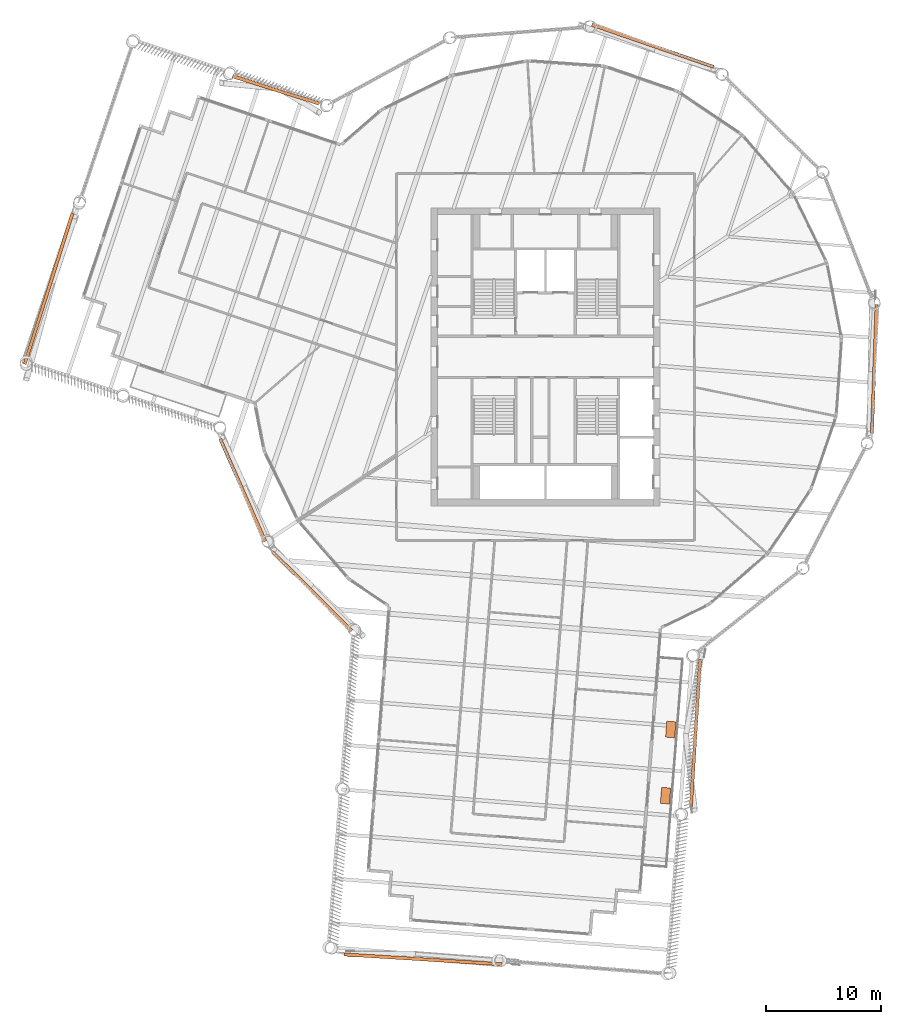
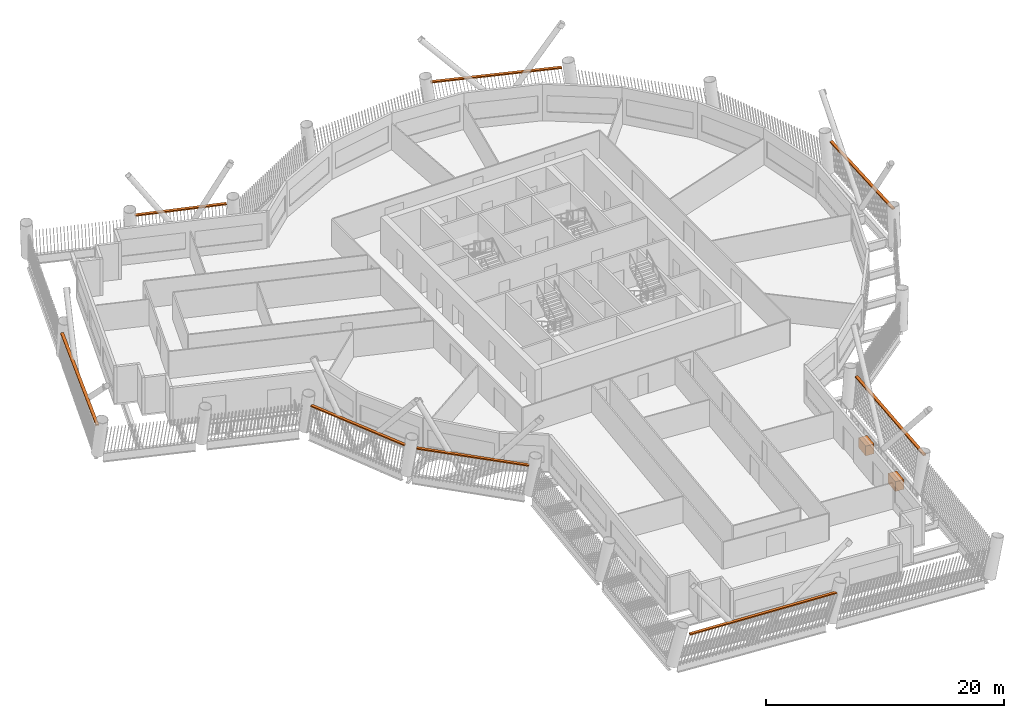
# One storey, part 21 of 21: 10 proxies.
"""IFC4 building model written with IfcOpenShell, lengths in metres."""

from ifc_helpers import new_model, si_unit, direction, frame, origin, origin_2d, place, context, subcontext, project, spatial, rectangle, extrude, material, type_object, element, save


model = new_model("IFC4")

# Units and contexts
model_context = context("Model", 3, precision=1e-05, world=origin(), true_north=direction((0.0, 1.0)))
body_context = subcontext(model_context, "Body", "Model", "MODEL_VIEW")
ifc_project = project(units=[si_unit("LENGTHUNIT", "METRE"), si_unit("AREAUNIT", "SQUARE_METRE"), si_unit("VOLUMEUNIT", "CUBIC_METRE"), si_unit("PLANEANGLEUNIT", "RADIAN"), si_unit("MASSUNIT", "GRAM", prefix="KILO")], contexts=[model_context])

# Site, building, storey
site_placement = place(None, origin())
site = spatial("IfcSite", under=ifc_project, at=site_placement, CompositionType="ELEMENT")
building_placement = place(site_placement, origin())
building = spatial("IfcBuilding", under=site, at=building_placement, Name="Tarsis Ring Headquarters", CompositionType="ELEMENT")
storey_placement = place(building_placement, frame((0.0, 0.0, 208.199951171875)))
storey = spatial("IfcBuildingStorey", under=building, at=storey_placement, Name="L48", CompositionType="ELEMENT", Elevation=208.199951171875)

# Proxies
ifc_material_1 = material(Name="Structural steel S355", Category="steel")
building_element_proxy_type_1 = type_object("IfcBuildingElementProxyType", Name="Screen bracket plate", PredefinedType="USERDEFINED", material=ifc_material_1)
proxy_1_placement = place(storey_placement, frame((-20.348388671875, -20.437255859375, 2.949951171875), z_axis=(0.0, 0.0, 1.0), x_axis=(0.708647567831, -0.705562629826, 0.0)))
element("IfcBuildingElementProxy", 1, at=proxy_1_placement, inside=storey, type_object=building_element_proxy_type_1, Name="Screen bracket L48-00", ObjectType="Bracket", PredefinedType="USERDEFINED", context=body_context, shape_type="SweptSolid", body=[
    extrude(rectangle(XDim=9.771728515625, YDim=0.280029296875, at=origin_2d()), origin(), (0.0, 0.0, 1.0), 0.1201171875),
])
proxy_2_placement = place(storey_placement, frame((-10.6826171875, -52.532958984375, 2.949951171875), z_axis=(0.0, 0.0, 1.0), x_axis=(0.998070319096, -0.062093785026, 0.0)))
element("IfcBuildingElementProxy", 2, at=proxy_2_placement, inside=storey, type_object=building_element_proxy_type_1, Name="Screen bracket L48-03", ObjectType="Bracket", PredefinedType="USERDEFINED", context=body_context, shape_type="SweptSolid", body=[
    extrude(rectangle(XDim=13.800048828125, YDim=0.280029296875, at=origin_2d()), origin(), (0.0, 0.0, 1.0), 0.1201171875),
])
proxy_3_placement = place(storey_placement, frame((13.082275390625, -32.822265625, 2.949951171875), z_axis=(0.0, 0.0, 1.0), x_axis=(0.062093732767, 0.998070322348, 0.0)))
element("IfcBuildingElementProxy", 3, at=proxy_3_placement, inside=storey, type_object=building_element_proxy_type_1, Name="Screen bracket L48-06", ObjectType="Bracket", PredefinedType="USERDEFINED", context=body_context, shape_type="SweptSolid", body=[
    extrude(rectangle(XDim=12.90234375, YDim=0.280029296875, at=origin_2d()), origin(), (0.0, 0.0, 1.0), 0.1201171875),
])
for number, where, z_axis, x_axis, name in (
    (4, (28.671630859375, -1.0380859375, 2.949951171875), (0.0, 0.0, 1.0), (0.036185706667, 0.999345082858, 0.0), "Screen bracket L48-09"),
    (5, (9.362548828125, 27.119873046875, 2.949951171875), (0.0, 0.0, 1.0), (-0.945255401503, 0.326331466349, 0.0), "Screen bracket L48-12"),
):
    element("IfcBuildingElementProxy", number, at=place(storey_placement, frame(where, z_axis=z_axis, x_axis=x_axis)), inside=storey, type_object=building_element_proxy_type_1, Name=name, ObjectType="Bracket", PredefinedType="USERDEFINED", context=body_context, shape_type="SweptSolid", body=[
        extrude(rectangle(XDim=11.248779296875, YDim=0.280029296875, at=origin_2d()), origin(), (0.0, 0.0, 1.0), 0.1201171875),
    ])
proxy_4_placement = place(storey_placement, frame((-23.520263671875, 23.275634765625, 2.949951171875), z_axis=(0.0, 0.0, 1.0), x_axis=(-0.953401540027, 0.301704331217, 0.0)))
element("IfcBuildingElementProxy", 6, at=proxy_4_placement, inside=storey, type_object=building_element_proxy_type_1, Name="Screen bracket L48-15", ObjectType="Bracket", PredefinedType="USERDEFINED", context=body_context, shape_type="SweptSolid", body=[
    extrude(rectangle(XDim=7.90234375, YDim=0.280029296875, at=origin_2d()), origin(), (0.0, 0.0, 1.0), 0.1201171875),
])
proxy_5_placement = place(storey_placement, frame((-43.3193359375, 5.94677734375, 2.949951171875), z_axis=(0.0, 0.0, 1.0), x_axis=(-0.301704381137, -0.953401524229, 0.0)))
element("IfcBuildingElementProxy", 7, at=proxy_5_placement, inside=storey, type_object=building_element_proxy_type_1, Name="Screen bracket L48-18", ObjectType="Bracket", PredefinedType="USERDEFINED", context=body_context, shape_type="SweptSolid", body=[
    extrude(rectangle(XDim=13.800048828125, YDim=0.280029296875, at=origin_2d()), origin(), (0.0, 0.0, 1.0), 0.1201171875),
])
proxy_6_placement = place(storey_placement, frame((-26.396484375, -11.617431640625, 2.949951171875), z_axis=(0.0, 0.0, 1.0), x_axis=(0.402826835888, -0.915276209834, 0.0)))
element("IfcBuildingElementProxy", 8, at=proxy_6_placement, inside=storey, type_object=building_element_proxy_type_1, Name="Screen bracket L48-21", ObjectType="Bracket", PredefinedType="USERDEFINED", context=body_context, shape_type="SweptSolid", body=[
    extrude(rectangle(XDim=9.771728515625, YDim=0.280029296875, at=origin_2d()), origin(), (0.0, 0.0, 1.0), 0.1201171875),
])
ifc_material_2 = material(Name="Planter soil mix and tree")
building_element_proxy_type_2 = type_object("IfcBuildingElementProxyType", Name="Tree planter", PredefinedType="USERDEFINED", material=ifc_material_2)
for number, where, z_axis, x_axis, name in (
    (9, (10.46728515625, -38.26220703125, 0.0), (0.0, 0.0, 1.0), (0.078807115536, 0.996889882856, 0.0), "Tree planter L48-16.2"),
    (10, (10.92333984375, -32.492431640625, 0.0), (0.0, 0.0, 1.0), (0.078807115536, 0.996889882856, 0.0), "Tree planter L48-16.3"),
):
    element("IfcBuildingElementProxy", number, at=place(storey_placement, frame(where, z_axis=z_axis, x_axis=x_axis)), inside=storey, type_object=building_element_proxy_type_2, Name=name, ObjectType="Planter", PredefinedType="USERDEFINED", context=body_context, shape_type="SweptSolid", body=[
        extrude(rectangle(XDim=1.39990234375, YDim=0.800048828125, at=origin_2d()), origin(), (0.0, 0.0, 1.0), 1.0),
    ])

save(model, "model.ifc")
